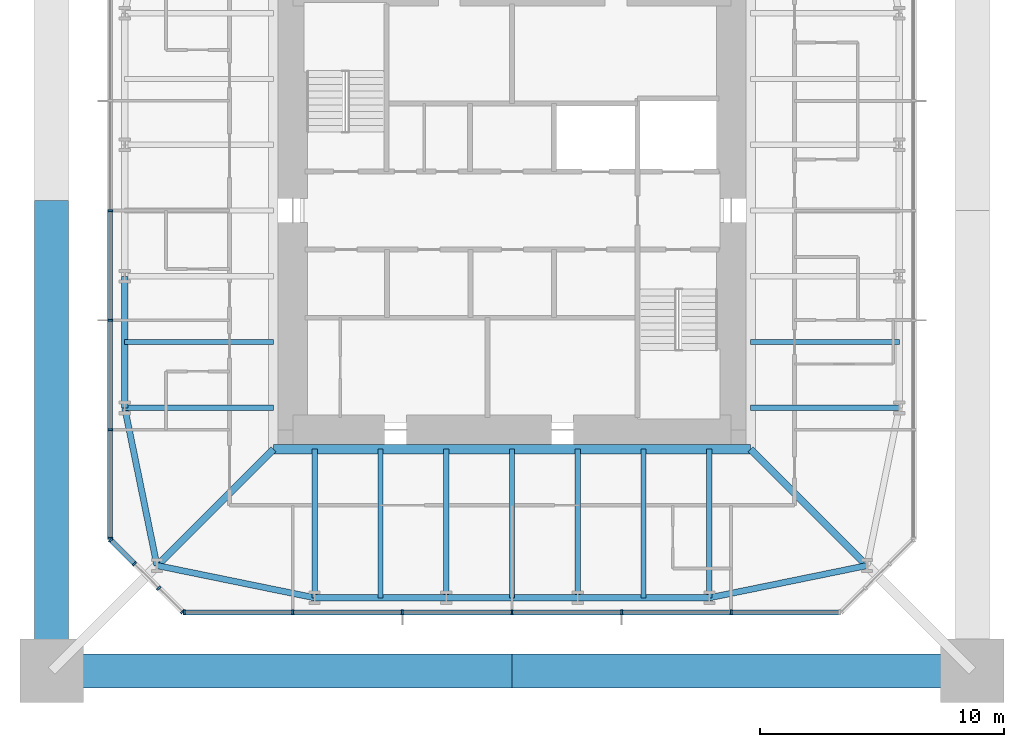
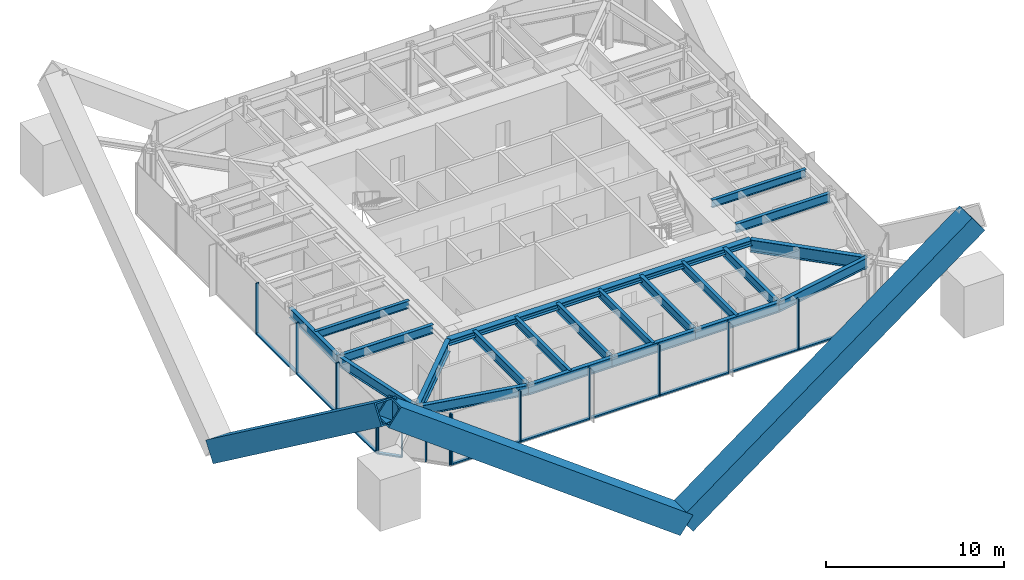
# One storey, part 2 of 10: 27 members, 21 beams, 3 elements without a shape of their own.
"""IFC4 building model written with IfcOpenShell, lengths in metres."""

from ifc_helpers import new_model, si_unit, direction, frame, origin, origin_2d, place, context, subcontext, project, spatial, rectangle, hollow_rectangle, i_section, extrude, material, material_profile, profile_set, type_object, element, aggregate, save


model = new_model("IFC4")

# Units and contexts
model_context = context("Model", 3, precision=1e-05, world=origin(), true_north=direction((0.0, 1.0)))
body_context = subcontext(model_context, "Body", "Model", "MODEL_VIEW")
ifc_project = project(units=[si_unit("LENGTHUNIT", "METRE"), si_unit("AREAUNIT", "SQUARE_METRE"), si_unit("VOLUMEUNIT", "CUBIC_METRE"), si_unit("PLANEANGLEUNIT", "RADIAN"), si_unit("MASSUNIT", "GRAM", prefix="KILO")], contexts=[model_context])

# Site, building, storey
site_placement = place(None, origin())
site = spatial("IfcSite", under=ifc_project, at=site_placement, CompositionType="ELEMENT")
building_placement = place(site_placement, origin())
building = spatial("IfcBuilding", under=site, at=building_placement, Name="Iwan Alto Co-Living Towers", CompositionType="ELEMENT")
storey_placement = place(building_placement, frame((0.0, 0.0, 260.5)))
storey = spatial("IfcBuildingStorey", under=building, at=storey_placement, Name="L71", CompositionType="ELEMENT", Elevation=260.5)

# Curtain wall, members
ifc_material_1 = material(Name="Bronze aluminium unitised frame", Category="aluminium")
curtain_wall_type_1 = type_object("IfcCurtainWallType", Name="CURTAIN WALL CW-A", PredefinedType="NOTDEFINED", material=ifc_material_1)
curtain_wall_1_placement = place(storey_placement, origin())
curtain_wall_1 = element("IfcCurtainWall", 1, at=curtain_wall_1_placement, inside=storey, type_object=curtain_wall_type_1, Name="T1 curtain wall S L71", PredefinedType="NOTDEFINED")
ifc_material_2 = material(Name="Aluminium 6063-T6 bronze anodised", Category="aluminium")
ifc_material_profile_1 = material_profile(ifc_material_2, rectangle(XDim=0.199951171875, YDim=0.080078125, at=origin_2d()), Name="AL 80X200")
ifc_profile_set_1 = profile_set([ifc_material_profile_1], Name="Aluminium 6063-T6 bronze anodised")
member_type_1 = type_object("IfcMemberType", Name="CW-A MULLION 80X200", PredefinedType="MULLION", material=ifc_profile_set_1)
member_1_placement = place(storey_placement, frame((-13.4599609375, -16.5, 0.0), z_axis=(0.0, 0.0, 1.0), x_axis=(0.0, 1.0, 0.0)))
member_1 = element("IfcMember", 2, at=member_1_placement, type_object=member_type_1, Name="CW-A mullion 1", PredefinedType="MULLION", context=body_context, shape_type="SweptSolid", body=[
    extrude(rectangle(XDim=0.199951171875, YDim=0.080078125, at=origin_2d()), origin(), (0.0, 0.0, 1.0), 3.5),
])
member_2_placement = place(storey_placement, frame((-9.0, -16.5, 0.0), z_axis=(0.0, 0.0, 1.0), x_axis=(0.0, 1.0, 0.0)))
member_2 = element("IfcMember", 3, at=member_2_placement, type_object=member_type_1, Name="CW-A mullion 2", PredefinedType="MULLION", context=body_context, shape_type="SweptSolid", body=[
    extrude(rectangle(XDim=0.199951171875, YDim=0.080078125, at=origin_2d()), origin(), (0.0, 0.0, 1.0), 3.5),
])
member_3_placement = place(storey_placement, frame((-4.5, -16.5, 0.0), z_axis=(0.0, 0.0, 1.0), x_axis=(0.0, 1.0, 0.0)))
member_3 = element("IfcMember", 4, at=member_3_placement, type_object=member_type_1, Name="CW-A mullion 3", PredefinedType="MULLION", context=body_context, shape_type="SweptSolid", body=[
    extrude(rectangle(XDim=0.199951171875, YDim=0.080078125, at=origin_2d()), origin(), (0.0, 0.0, 1.0), 3.5),
])
member_4_placement = place(storey_placement, frame((0.0, -16.5, 0.0), z_axis=(0.0, 0.0, 1.0), x_axis=(0.0, 1.0, 0.0)))
member_4 = element("IfcMember", 5, at=member_4_placement, type_object=member_type_1, Name="CW-A mullion 4", PredefinedType="MULLION", context=body_context, shape_type="SweptSolid", body=[
    extrude(rectangle(XDim=0.199951171875, YDim=0.080078125, at=origin_2d()), origin(), (0.0, 0.0, 1.0), 3.5),
])
member_5_placement = place(storey_placement, frame((4.5, -16.5, 0.0), z_axis=(0.0, 0.0, 1.0), x_axis=(0.0, 1.0, 0.0)))
member_5 = element("IfcMember", 6, at=member_5_placement, type_object=member_type_1, Name="CW-A mullion 5", PredefinedType="MULLION", context=body_context, shape_type="SweptSolid", body=[
    extrude(rectangle(XDim=0.199951171875, YDim=0.080078125, at=origin_2d()), origin(), (0.0, 0.0, 1.0), 3.5),
])
member_6_placement = place(storey_placement, frame((9.0, -16.5, 0.0), z_axis=(0.0, 0.0, 1.0), x_axis=(0.0, 1.0, 0.0)))
member_6 = element("IfcMember", 7, at=member_6_placement, type_object=member_type_1, Name="CW-A mullion 6", PredefinedType="MULLION", context=body_context, shape_type="SweptSolid", body=[
    extrude(rectangle(XDim=0.199951171875, YDim=0.080078125, at=origin_2d()), origin(), (0.0, 0.0, 1.0), 3.5),
])

curtain_wall_2_placement = place(storey_placement, origin())
curtain_wall_2 = element("IfcCurtainWall", 8, at=curtain_wall_2_placement, inside=storey, type_object=curtain_wall_type_1, Name="T1 curtain wall W L71", PredefinedType="NOTDEFINED")
member_7_placement = place(storey_placement, frame((-16.5, 0.0, 0.0), z_axis=(0.0, 0.0, 1.0), x_axis=(1.0, 0.0, 0.0)))
member_7 = element("IfcMember", 9, at=member_7_placement, type_object=member_type_1, Name="CW-A mullion 4", PredefinedType="MULLION", context=body_context, shape_type="SweptSolid", body=[
    extrude(rectangle(XDim=0.199951171875, YDim=0.080078125, at=origin_2d()), origin(), (0.0, 0.0, 1.0), 3.5),
])
member_8_placement = place(storey_placement, frame((-16.5, -4.5, 0.0), z_axis=(0.0, 0.0, 1.0), x_axis=(1.0, 0.0, 0.0)))
member_8 = element("IfcMember", 10, at=member_8_placement, type_object=member_type_1, Name="CW-A mullion 5", PredefinedType="MULLION", context=body_context, shape_type="SweptSolid", body=[
    extrude(rectangle(XDim=0.199951171875, YDim=0.080078125, at=origin_2d()), origin(), (0.0, 0.0, 1.0), 3.5),
])
member_9_placement = place(storey_placement, frame((-16.5, -9.0, 0.0), z_axis=(0.0, 0.0, 1.0), x_axis=(1.0, 0.0, 0.0)))
member_9 = element("IfcMember", 11, at=member_9_placement, type_object=member_type_1, Name="CW-A mullion 6", PredefinedType="MULLION", context=body_context, shape_type="SweptSolid", body=[
    extrude(rectangle(XDim=0.199951171875, YDim=0.080078125, at=origin_2d()), origin(), (0.0, 0.0, 1.0), 3.5),
])
member_10_placement = place(storey_placement, frame((-16.5, -13.4599609375, 0.0), z_axis=(0.0, 0.0, 1.0), x_axis=(1.0, 0.0, 0.0)))
member_10 = element("IfcMember", 12, at=member_10_placement, type_object=member_type_1, Name="CW-A mullion 7", PredefinedType="MULLION", context=body_context, shape_type="SweptSolid", body=[
    extrude(rectangle(XDim=0.199951171875, YDim=0.080078125, at=origin_2d()), origin(), (0.0, 0.0, 1.0), 3.5),
])

# Member
ifc_material_3 = material(Name="Aluminium 6063-T6 bronze anodised", Category="aluminium")
ifc_material_profile_2 = material_profile(ifc_material_3, rectangle(XDim=0.199951171875, YDim=0.10009765625, at=origin_2d()), Name="AL 200X100")
ifc_profile_set_2 = profile_set([ifc_material_profile_2], Name="Aluminium 6063-T6 bronze anodised")
member_type_2 = type_object("IfcMemberType", Name="CW-A TRANSOM 200X100", PredefinedType="USERDEFINED", material=ifc_profile_set_2)
member_11_placement = place(storey_placement, frame((-13.419921875, -16.5, 0.050048828125), z_axis=(1.0, 0.0, 0.0), x_axis=(0.0, 1.0, 0.0)))
member_11 = element("IfcMember", 13, at=member_11_placement, type_object=member_type_2, Name="CW-A transom 1.1", ObjectType="TRANSOM", PredefinedType="USERDEFINED", context=body_context, shape_type="SweptSolid", body=[
    extrude(rectangle(XDim=0.199951171875, YDim=0.10009765625, at=origin_2d()), origin(), (0.0, 0.0, 1.0), 4.3798828125),
])

member_12_placement = place(storey_placement, frame((-8.9599609375, -16.5, 0.050048828125), z_axis=(1.0, 0.0, 0.0), x_axis=(0.0, 1.0, 0.0)))
member_12 = element("IfcMember", 14, at=member_12_placement, type_object=member_type_2, Name="CW-A transom 2.1", ObjectType="TRANSOM", PredefinedType="USERDEFINED", context=body_context, shape_type="SweptSolid", body=[
    extrude(rectangle(XDim=0.199951171875, YDim=0.10009765625, at=origin_2d()), origin(), (0.0, 0.0, 1.0), 4.419921875),
])

member_13_placement = place(storey_placement, frame((-4.4599609375, -16.5, 0.050048828125), z_axis=(1.0, 0.0, 0.0), x_axis=(0.0, 1.0, 0.0)))
member_13 = element("IfcMember", 15, at=member_13_placement, type_object=member_type_2, Name="CW-A transom 3.1", ObjectType="TRANSOM", PredefinedType="USERDEFINED", context=body_context, shape_type="SweptSolid", body=[
    extrude(rectangle(XDim=0.199951171875, YDim=0.10009765625, at=origin_2d()), origin(), (0.0, 0.0, 1.0), 4.419921875),
])

member_14_placement = place(storey_placement, frame((0.0400390625, -16.5, 0.050048828125), z_axis=(1.0, 0.0, 0.0), x_axis=(0.0, 1.0, 0.0)))
member_14 = element("IfcMember", 16, at=member_14_placement, type_object=member_type_2, Name="CW-A transom 4.1", ObjectType="TRANSOM", PredefinedType="USERDEFINED", context=body_context, shape_type="SweptSolid", body=[
    extrude(rectangle(XDim=0.199951171875, YDim=0.10009765625, at=origin_2d()), origin(), (0.0, 0.0, 1.0), 4.419921875),
])

member_15_placement = place(storey_placement, frame((4.5400390625, -16.5, 0.050048828125), z_axis=(1.0, 0.0, 0.0), x_axis=(0.0, 1.0, 0.0)))
member_15 = element("IfcMember", 17, at=member_15_placement, type_object=member_type_2, Name="CW-A transom 5.1", ObjectType="TRANSOM", PredefinedType="USERDEFINED", context=body_context, shape_type="SweptSolid", body=[
    extrude(rectangle(XDim=0.199951171875, YDim=0.10009765625, at=origin_2d()), origin(), (0.0, 0.0, 1.0), 4.419921875),
])

member_16_placement = place(storey_placement, frame((9.0400390625, -16.5, 0.050048828125), z_axis=(1.0, 0.0, 0.0), x_axis=(0.0, 1.0, 0.0)))
member_16 = element("IfcMember", 18, at=member_16_placement, type_object=member_type_2, Name="CW-A transom 6.1", ObjectType="TRANSOM", PredefinedType="USERDEFINED", context=body_context, shape_type="SweptSolid", body=[
    extrude(rectangle(XDim=0.199951171875, YDim=0.10009765625, at=origin_2d()), origin(), (0.0, 0.0, 1.0), 4.3798828125),
])

aggregate(curtain_wall_1, [member_1, member_2, member_3, member_4, member_5, member_6, member_11, member_12, member_13, member_14, member_15, member_16])

member_17_placement = place(storey_placement, frame((-16.5, -0.0400390625, 0.050048828125), z_axis=(0.0, -1.0, 0.0), x_axis=(1.0, 0.0, 0.0)))
member_17 = element("IfcMember", 19, at=member_17_placement, type_object=member_type_2, Name="CW-A transom 4.1", ObjectType="TRANSOM", PredefinedType="USERDEFINED", context=body_context, shape_type="SweptSolid", body=[
    extrude(rectangle(XDim=0.199951171875, YDim=0.10009765625, at=origin_2d()), origin(), (0.0, 0.0, 1.0), 4.419921875),
])

member_18_placement = place(storey_placement, frame((-16.5, -4.5400390625, 0.050048828125), z_axis=(0.0, -1.0, 0.0), x_axis=(1.0, 0.0, 0.0)))
member_18 = element("IfcMember", 20, at=member_18_placement, type_object=member_type_2, Name="CW-A transom 5.1", ObjectType="TRANSOM", PredefinedType="USERDEFINED", context=body_context, shape_type="SweptSolid", body=[
    extrude(rectangle(XDim=0.199951171875, YDim=0.10009765625, at=origin_2d()), origin(), (0.0, 0.0, 1.0), 4.419921875),
])

member_19_placement = place(storey_placement, frame((-16.5, -9.0400390625, 0.050048828125), z_axis=(0.0, -1.0, 0.0), x_axis=(1.0, 0.0, 0.0)))
member_19 = element("IfcMember", 21, at=member_19_placement, type_object=member_type_2, Name="CW-A transom 6.1", ObjectType="TRANSOM", PredefinedType="USERDEFINED", context=body_context, shape_type="SweptSolid", body=[
    extrude(rectangle(XDim=0.199951171875, YDim=0.10009765625, at=origin_2d()), origin(), (0.0, 0.0, 1.0), 4.3798828125),
])

aggregate(curtain_wall_2, [member_7, member_8, member_9, member_10, member_17, member_18, member_19])

# Curtain wall, members
ifc_material_4 = material(Name="Bronze aluminium unitised frame", Category="aluminium")
curtain_wall_type_2 = type_object("IfcCurtainWallType", Name="CURTAIN WALL CW-B", PredefinedType="NOTDEFINED", material=ifc_material_4)
curtain_wall_3_placement = place(storey_placement, origin())
curtain_wall_3 = element("IfcCurtainWall", 22, at=curtain_wall_3_placement, inside=storey, type_object=curtain_wall_type_2, Name="T1 chamfer curtain wall SW L71", PredefinedType="NOTDEFINED")
ifc_material_5 = material(Name="Aluminium 6063-T6 bronze anodised", Category="aluminium")
ifc_material_profile_3 = material_profile(ifc_material_5, rectangle(XDim=0.199951171875, YDim=0.080078125, at=origin_2d()), Name="AL 80X200")
ifc_profile_set_3 = profile_set([ifc_material_profile_3], Name="Aluminium 6063-T6 bronze anodised")
member_type_3 = type_object("IfcMemberType", Name="CW-B MULLION 80X200", PredefinedType="MULLION", material=ifc_profile_set_3)
member_20_placement = place(storey_placement, frame((-16.4716796875, -13.5283203125, 0.0), z_axis=(0.0, 0.0, 1.0), x_axis=(0.707106781187, 0.707106781187, 0.0)))
member_20 = element("IfcMember", 23, at=member_20_placement, type_object=member_type_3, Name="CW-B mullion 1", PredefinedType="MULLION", context=body_context, shape_type="SweptSolid", body=[
    extrude(rectangle(XDim=0.199951171875, YDim=0.080078125, at=origin_2d()), origin(), (0.0, 0.0, 1.0), 3.5),
])
member_21_placement = place(storey_placement, frame((-15.5, -14.5, 0.0), z_axis=(0.0, 0.0, 1.0), x_axis=(0.707106781187, 0.707106781187, 0.0)))
member_21 = element("IfcMember", 24, at=member_21_placement, type_object=member_type_3, Name="CW-B mullion 2", PredefinedType="MULLION", context=body_context, shape_type="SweptSolid", body=[
    extrude(rectangle(XDim=0.199951171875, YDim=0.080078125, at=origin_2d()), origin(), (0.0, 0.0, 1.0), 3.5),
])
member_22_placement = place(storey_placement, frame((-14.5, -15.5, 0.0), z_axis=(0.0, 0.0, 1.0), x_axis=(0.707106781187, 0.707106781187, 0.0)))
member_22 = element("IfcMember", 25, at=member_22_placement, type_object=member_type_3, Name="CW-B mullion 3", PredefinedType="MULLION", context=body_context, shape_type="SweptSolid", body=[
    extrude(rectangle(XDim=0.199951171875, YDim=0.080078125, at=origin_2d()), origin(), (0.0, 0.0, 1.0), 3.5),
])
member_23_placement = place(storey_placement, frame((-13.5283203125, -16.4716796875, 0.0), z_axis=(0.0, 0.0, 1.0), x_axis=(0.707106781187, 0.707106781187, 0.0)))
member_23 = element("IfcMember", 26, at=member_23_placement, type_object=member_type_3, Name="CW-B mullion 4", PredefinedType="MULLION", context=body_context, shape_type="SweptSolid", body=[
    extrude(rectangle(XDim=0.199951171875, YDim=0.080078125, at=origin_2d()), origin(), (0.0, 0.0, 1.0), 3.5),
])
ifc_material_6 = material(Name="Aluminium 6063-T6 bronze anodised", Category="aluminium")
ifc_material_profile_4 = material_profile(ifc_material_6, rectangle(XDim=0.199951171875, YDim=0.10009765625, at=origin_2d()), Name="AL 200X100")
ifc_profile_set_4 = profile_set([ifc_material_profile_4], Name="Aluminium 6063-T6 bronze anodised")
member_type_4 = type_object("IfcMemberType", Name="CW-B TRANSOM 200X100", PredefinedType="USERDEFINED", material=ifc_profile_set_4)
member_24_placement = place(storey_placement, frame((-16.443359375, -13.556640625, 0.050048828125), z_axis=(0.707106781187, -0.707106781187, 0.0), x_axis=(0.707106781187, 0.707106781187, 0.0)))
member_24 = element("IfcMember", 27, at=member_24_placement, type_object=member_type_4, Name="CW-B transom 1.1", ObjectType="TRANSOM", PredefinedType="USERDEFINED", context=body_context, shape_type="SweptSolid", body=[
    extrude(rectangle(XDim=0.199951171875, YDim=0.10009765625, at=origin_2d()), origin(), (0.0, 0.0, 1.0), 1.2939453125),
])
aggregate(curtain_wall_3, [member_20, member_21, member_22, member_23, member_24])

# Beams
ifc_material_7 = material(Name="Steel ASTM A992 Gr 50", Category="steel")
ifc_material_profile_5 = material_profile(ifc_material_7, i_section(OverallWidth=0.398681640625, OverallDepth=0.385986328125, WebThickness=0.02099609375, FlangeThickness=0.033203125, at=origin_2d()), Name="W14X176")
ifc_profile_set_5 = profile_set([ifc_material_profile_5], Name="Steel ASTM A992 Gr 50")
beam_type_1 = type_object("IfcBeamType", Name="T1 CORE LEDGER BEAM W14X176", PredefinedType="BEAM", material=ifc_profile_set_5)
beam_1_placement = place(storey_placement, frame((-9.79931640625, -9.79931640625, 3.076904296875), z_axis=(1.0, 0.0, 0.0), x_axis=(0.0, 1.0, 0.0)))
element("IfcBeam", 28, at=beam_1_placement, inside=storey, type_object=beam_type_1, Name="T1 core ledger beam S L72", PredefinedType="BEAM", context=body_context, shape_type="SweptSolid", body=[
    extrude(i_section(OverallWidth=0.398681640625, OverallDepth=0.385986328125, WebThickness=0.02099609375, FlangeThickness=0.033203125, at=origin_2d()), origin(), (0.0, 0.0, 1.0), 19.5986328125),
])
ifc_material_8 = material(Name="Steel ASTM A992 Gr 50", Category="steel")
ifc_material_profile_6 = material_profile(ifc_material_8, i_section(OverallWidth=0.2919921875, OverallDepth=0.8408203125, WebThickness=0.0146484375, FlangeThickness=0.021728515625, at=origin_2d()), Name="W33X130")
ifc_profile_set_6 = profile_set([ifc_material_profile_6], Name="Steel ASTM A992 Gr 50")
beam_type_2 = type_object("IfcBeamType", Name="T1 CORNER GIRDER W33X130", PredefinedType="BEAM", material=ifc_profile_set_6)
for number, where, z_axis, x_axis, name in (
    (29, (-14.57568359375, -14.57568359375, 2.849609375), (0.707106781187, 0.707106781187, 0.0), (-0.707106781187, 0.707106781187, 0.0), "T1 corner girder CSW L72"),
    (30, (14.57568359375, -14.57568359375, 2.849609375), (-0.707106781187, 0.707106781187, 0.0), (-0.707106781187, -0.707106781187, 0.0), "T1 corner girder CSE L72"),
):
    element("IfcBeam", number, at=place(storey_placement, frame(where, z_axis=z_axis, x_axis=x_axis)), inside=storey, type_object=beam_type_2, Name=name, PredefinedType="BEAM", context=body_context, shape_type="SweptSolid", body=[
        extrude(i_section(OverallWidth=0.2919921875, OverallDepth=0.8408203125, WebThickness=0.0146484375, FlangeThickness=0.021728515625, at=origin_2d()), origin(), (0.0, 0.0, 1.0), 6.7548828125),
    ])
ifc_material_9 = material(Name="Steel ASTM A992 Gr 50", Category="steel")
ifc_material_profile_7 = material_profile(ifc_material_9, i_section(OverallWidth=0.25390625, OverallDepth=0.683349609375, WebThickness=0.012451171875, FlangeThickness=0.018798828125, at=origin_2d()), Name="W27X94")
ifc_profile_set_7 = profile_set([ifc_material_profile_7], Name="Steel ASTM A992 Gr 50")
beam_type_3 = type_object("IfcBeamType", Name="T1 EDGE BEAM W27X94", PredefinedType="BEAM", material=ifc_profile_set_7)
beam_2_placement = place(storey_placement, frame((-14.57568359375, -14.57568359375, 2.928466796875), z_axis=(0.979724820103, -0.200347889618, 0.0), x_axis=(0.200347889618, 0.979724820103, 0.0)))
element("IfcBeam", 31, at=beam_2_placement, inside=storey, type_object=beam_type_3, Name="T1 edge beam CSW L72", PredefinedType="BEAM", context=body_context, shape_type="SweptSolid", body=[
    extrude(i_section(OverallWidth=0.25390625, OverallDepth=0.683349609375, WebThickness=0.012451171875, FlangeThickness=0.018798828125, at=origin_2d()), origin(), (0.0, 0.0, 1.0), 6.609619140625),
])
beam_3_placement = place(storey_placement, frame((-8.10009765625, -15.89990234375, 2.928466796875), z_axis=(1.0, 0.0, 0.0), x_axis=(0.0, 1.0, 0.0)))
element("IfcBeam", 32, at=beam_3_placement, inside=storey, type_object=beam_type_3, Name="T1 edge beam S1 L72", PredefinedType="BEAM", context=body_context, shape_type="SweptSolid", body=[
    extrude(i_section(OverallWidth=0.25390625, OverallDepth=0.683349609375, WebThickness=0.012451171875, FlangeThickness=0.018798828125, at=origin_2d()), origin(), (0.0, 0.0, 1.0), 5.400146484375),
])
beam_4_placement = place(storey_placement, frame((-2.699951171875, -15.89990234375, 2.928466796875), z_axis=(1.0, 0.0, 0.0), x_axis=(0.0, 1.0, 0.0)))
element("IfcBeam", 33, at=beam_4_placement, inside=storey, type_object=beam_type_3, Name="T1 edge beam S2 L72", PredefinedType="BEAM", context=body_context, shape_type="SweptSolid", body=[
    extrude(i_section(OverallWidth=0.25390625, OverallDepth=0.683349609375, WebThickness=0.012451171875, FlangeThickness=0.018798828125, at=origin_2d()), origin(), (0.0, 0.0, 1.0), 5.39990234375),
])
beam_5_placement = place(storey_placement, frame((2.699951171875, -15.89990234375, 2.928466796875), z_axis=(1.0, 0.0, 0.0), x_axis=(0.0, 1.0, 0.0)))
element("IfcBeam", 34, at=beam_5_placement, inside=storey, type_object=beam_type_3, Name="T1 edge beam S3 L72", PredefinedType="BEAM", context=body_context, shape_type="SweptSolid", body=[
    extrude(i_section(OverallWidth=0.25390625, OverallDepth=0.683349609375, WebThickness=0.012451171875, FlangeThickness=0.018798828125, at=origin_2d()), origin(), (0.0, 0.0, 1.0), 5.400146484375),
])
beam_6_placement = place(storey_placement, frame((8.10009765625, -15.89990234375, 2.928466796875), z_axis=(0.979724820103, 0.200347889618, 0.0), x_axis=(-0.200347889618, 0.979724820103, 0.0)))
element("IfcBeam", 35, at=beam_6_placement, inside=storey, type_object=beam_type_3, Name="T1 edge beam S4 L72", PredefinedType="BEAM", context=body_context, shape_type="SweptSolid", body=[
    extrude(i_section(OverallWidth=0.25390625, OverallDepth=0.683349609375, WebThickness=0.012451171875, FlangeThickness=0.018798828125, at=origin_2d()), origin(), (0.0, 0.0, 1.0), 6.609619140625),
])
beam_7_placement = place(storey_placement, frame((-15.89990234375, -2.699951171875, 2.928466796875), z_axis=(0.0, -1.0, 0.0), x_axis=(1.0, 0.0, 0.0)))
element("IfcBeam", 36, at=beam_7_placement, inside=storey, type_object=beam_type_3, Name="T1 edge beam W3 L72", PredefinedType="BEAM", context=body_context, shape_type="SweptSolid", body=[
    extrude(i_section(OverallWidth=0.25390625, OverallDepth=0.683349609375, WebThickness=0.012451171875, FlangeThickness=0.018798828125, at=origin_2d()), origin(), (0.0, 0.0, 1.0), 5.400146484375),
])
beam_8_placement = place(storey_placement, frame((-15.89990234375, -8.10009765625, 2.928466796875), z_axis=(0.200347889618, -0.979724820103, 0.0), x_axis=(0.979724820103, 0.200347889618, 0.0)))
element("IfcBeam", 37, at=beam_8_placement, inside=storey, type_object=beam_type_3, Name="T1 edge beam W4 L72", PredefinedType="BEAM", context=body_context, shape_type="SweptSolid", body=[
    extrude(i_section(OverallWidth=0.25390625, OverallDepth=0.683349609375, WebThickness=0.012451171875, FlangeThickness=0.018798828125, at=origin_2d()), origin(), (0.0, 0.0, 1.0), 6.609619140625),
])

# Members
ifc_material_10 = material(Name="Steel ASTM A572 Gr 50", Category="steel")
ifc_material_profile_8 = material_profile(ifc_material_10, hollow_rectangle(XDim=1.39990234375, YDim=1.39990234375, WallThickness=0.10009765625, at=origin_2d()), Name="BOX 1400X1400X100")
ifc_profile_set_8 = profile_set([ifc_material_profile_8], Name="Steel ASTM A572 Gr 50")
member_type_5 = type_object("IfcMemberType", Name="T1 MEGA BRACE BOX 1400X1400X100", PredefinedType="BRACE", material=ifc_profile_set_8)
for number, where, z_axis, x_axis, name in (
    (38, (0.0, -18.89990234375, -7.0), (0.803555722309, 0.0, 0.595229536519), (0.0, 1.0, 0.0), "T1 mega brace Z4B S 1 upper"),
    (39, (0.0, -18.89990234375, -7.0), (-0.803555722309, 0.0, 0.595229536519), (0.0, -1.0, 0.0), "T1 mega brace Z4B S 2 upper"),
    (40, (-18.89990234375, 0.0, -7.0), (0.0, -0.803555722309, 0.595229536519), (1.0, 0.0, 0.0), "T1 mega brace Z4B W 1 upper"),
):
    element("IfcMember", number, at=place(storey_placement, frame(where, z_axis=z_axis, x_axis=x_axis)), inside=storey, type_object=member_type_5, Name=name, PredefinedType="BRACE", context=body_context, shape_type="SweptSolid", body=[
        extrude(hollow_rectangle(XDim=1.39990234375, YDim=1.39990234375, WallThickness=0.10009765625, at=origin_2d()), origin(), (0.0, 0.0, 1.0), 23.520263671875),
    ])

# Beams
ifc_material_11 = material(Name="Steel ASTM A992 Gr 50", Category="steel")
ifc_material_profile_9 = material_profile(ifc_material_11, i_section(OverallWidth=0.228271484375, OverallDepth=0.607177734375, WebThickness=0.01123046875, FlangeThickness=0.017333984375, at=origin_2d()), Name="W24X76")
ifc_profile_set_9 = profile_set([ifc_material_profile_9], Name="Steel ASTM A992 Gr 50")
beam_type_4 = type_object("IfcBeamType", Name="T1 RADIAL BEAM W24X76", PredefinedType="BEAM", material=ifc_profile_set_9)
for number, where, z_axis, x_axis, name in (
    (41, (-8.10009765625, -15.89990234375, 2.966552734375), (0.0, 1.0, 0.0), (-1.0, 0.0, 0.0), "T1 radial beam S1 L72"),
    (42, (-2.699951171875, -15.89990234375, 2.966552734375), (0.0, 1.0, 0.0), (-1.0, 0.0, 0.0), "T1 radial beam S2 L72"),
    (43, (2.699951171875, -15.89990234375, 2.966552734375), (0.0, 1.0, 0.0), (-1.0, 0.0, 0.0), "T1 radial beam S3 L72"),
    (44, (8.10009765625, -15.89990234375, 2.966552734375), (0.0, 1.0, 0.0), (-1.0, 0.0, 0.0), "T1 radial beam S4 L72"),
    (45, (15.89990234375, -8.10009765625, 2.966552734375), (-1.0, 0.0, 0.0), (0.0, -1.0, 0.0), "T1 radial beam E1 L72"),
    (46, (-15.89990234375, -8.10009765625, 2.966552734375), (1.0, 0.0, 0.0), (0.0, 1.0, 0.0), "T1 radial beam W4 L72"),
):
    element("IfcBeam", number, at=place(storey_placement, frame(where, z_axis=z_axis, x_axis=x_axis)), inside=storey, type_object=beam_type_4, Name=name, PredefinedType="BEAM", context=body_context, shape_type="SweptSolid", body=[
        extrude(i_section(OverallWidth=0.228271484375, OverallDepth=0.607177734375, WebThickness=0.01123046875, FlangeThickness=0.017333984375, at=origin_2d()), origin(), (0.0, 0.0, 1.0), 6.1005859375),
    ])
ifc_material_12 = material(Name="Steel ASTM A992 Gr 50", Category="steel")
ifc_material_profile_10 = material_profile(ifc_material_12, i_section(OverallWidth=0.209228515625, OverallDepth=0.533447265625, WebThickness=0.01025390625, FlangeThickness=0.015625, at=origin_2d()), Name="W21X62")
ifc_profile_set_10 = profile_set([ifc_material_profile_10], Name="Steel ASTM A992 Gr 50")
beam_type_5 = type_object("IfcBeamType", Name="T1 SECONDARY BEAM W21X62", PredefinedType="JOIST", material=ifc_profile_set_10)
for number, where, z_axis, x_axis, name in (
    (47, (-5.39990234375, -15.89990234375, 3.00341796875), (0.0, 1.0, 0.0), (-1.0, 0.0, 0.0), "T1 secondary beam S1 L72"),
    (48, (0.0, -15.89990234375, 3.00341796875), (0.0, 1.0, 0.0), (-1.0, 0.0, 0.0), "T1 secondary beam S2 L72"),
    (49, (5.39990234375, -15.89990234375, 3.00341796875), (0.0, 1.0, 0.0), (-1.0, 0.0, 0.0), "T1 secondary beam S3 L72"),
    (50, (15.89990234375, -5.39990234375, 3.00341796875), (-1.0, 0.0, 0.0), (0.0, -1.0, 0.0), "T1 secondary beam E1 L72"),
    (51, (-15.89990234375, -5.39990234375, 3.00341796875), (1.0, 0.0, 0.0), (0.0, 1.0, 0.0), "T1 secondary beam W3 L72"),
):
    element("IfcBeam", number, at=place(storey_placement, frame(where, z_axis=z_axis, x_axis=x_axis)), inside=storey, type_object=beam_type_5, Name=name, PredefinedType="JOIST", context=body_context, shape_type="SweptSolid", body=[
        extrude(i_section(OverallWidth=0.209228515625, OverallDepth=0.533447265625, WebThickness=0.01025390625, FlangeThickness=0.015625, at=origin_2d()), origin(), (0.0, 0.0, 1.0), 6.1005859375),
    ])

save(model, "model.ifc")
